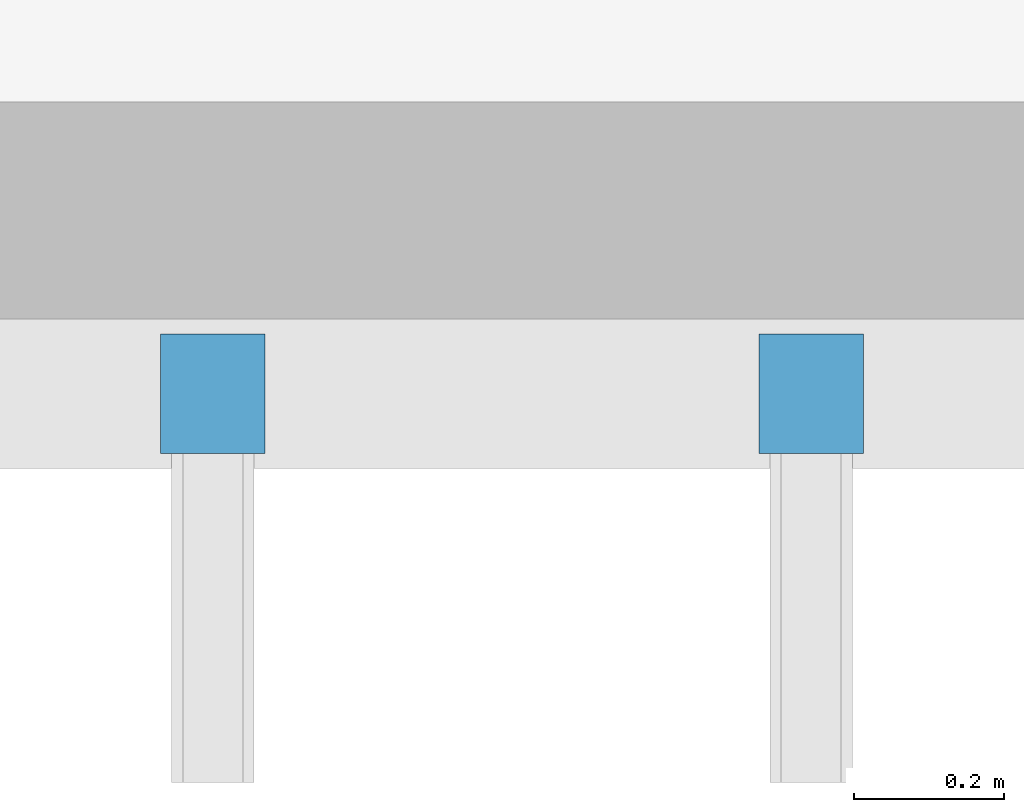
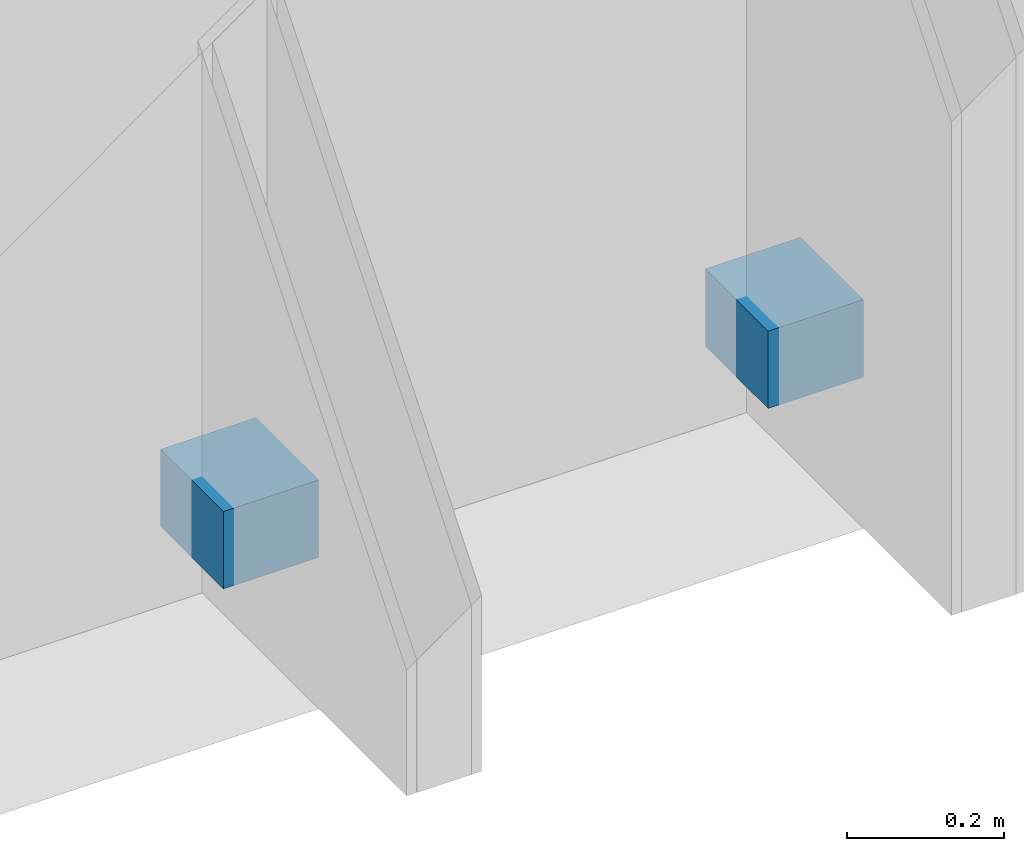
# One storey, part 120 of 138: 2 discrete accessories.
"""IFC4 building model written with IfcOpenShell, lengths in metres."""

from ifc_helpers import new_model, si_unit, direction, frame, origin, origin_2d, place, context, subcontext, project, spatial, rectangle, extrude, material, type_object, element, save


model = new_model("IFC4")

# Units and contexts
model_context = context("Model", 3, precision=1e-05, world=origin(), true_north=direction((0.0, 1.0)))
body_context = subcontext(model_context, "Body", "Model", "MODEL_VIEW")
ifc_project = project(units=[si_unit("LENGTHUNIT", "METRE"), si_unit("AREAUNIT", "SQUARE_METRE"), si_unit("VOLUMEUNIT", "CUBIC_METRE"), si_unit("PLANEANGLEUNIT", "RADIAN"), si_unit("MASSUNIT", "GRAM", prefix="KILO")], contexts=[model_context])

# Site, building, storey
site_placement = place(None, origin())
site = spatial("IfcSite", under=ifc_project, at=site_placement, CompositionType="ELEMENT")
building_placement = place(site_placement, origin())
building = spatial("IfcBuilding", under=site, at=building_placement, Name="Sundkrona Museum", CompositionType="ELEMENT")
storey_placement = place(building_placement, frame((0.0, 0.0, 9.60009765625)))
storey = spatial("IfcBuildingStorey", under=building, at=storey_placement, Name="L02", CompositionType="ELEMENT", Elevation=9.60009765625)

# Discrete accessories
ifc_material = material(Name="Stainless Steel EN 1.4404 Cleat", Category="steel")
discrete_accessory_type = type_object("IfcDiscreteAccessoryType", Name="BRK-FIN-01", PredefinedType="BRACKET", material=ifc_material)
for number, where, z_axis, x_axis, name in (
    (1, (66.39990234375, 78.0, 0.059814453125), (0.0, 0.0, 1.0), (1.0, 0.0, 0.0), "L02 Fin Bracket S-093"),
    (2, (67.199951171875, 78.0, 0.059814453125), (0.0, 0.0, 1.0), (1.0, 0.0, 0.0), "L02 Fin Bracket S-094"),
):
    element("IfcDiscreteAccessory", number, at=place(storey_placement, frame(where, z_axis=z_axis, x_axis=x_axis)), inside=storey, type_object=discrete_accessory_type, Name=name, PredefinedType="BRACKET", context=body_context, shape_type="SweptSolid", body=[
        extrude(rectangle(XDim=0.139892578125, YDim=0.159912109375, at=origin_2d()), origin(), (0.0, 0.0, 1.0), 0.1201171875),
    ])

save(model, "model.ifc")
